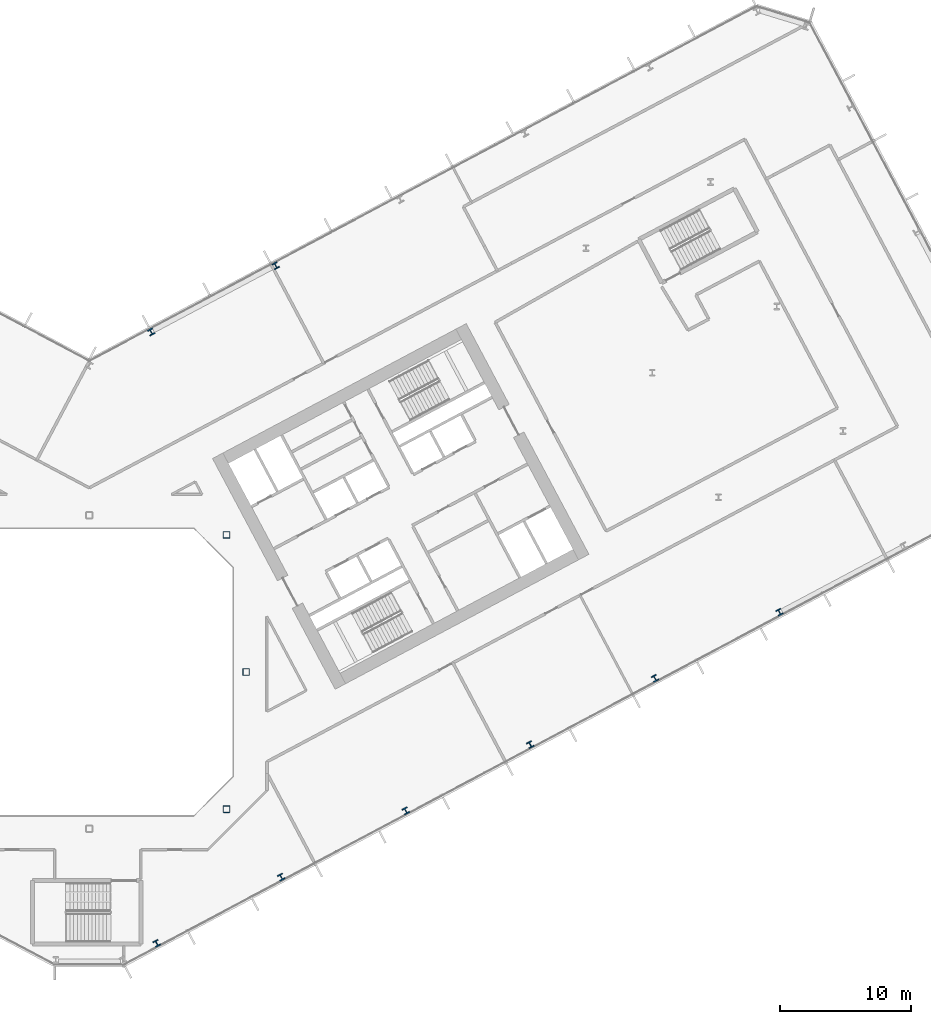
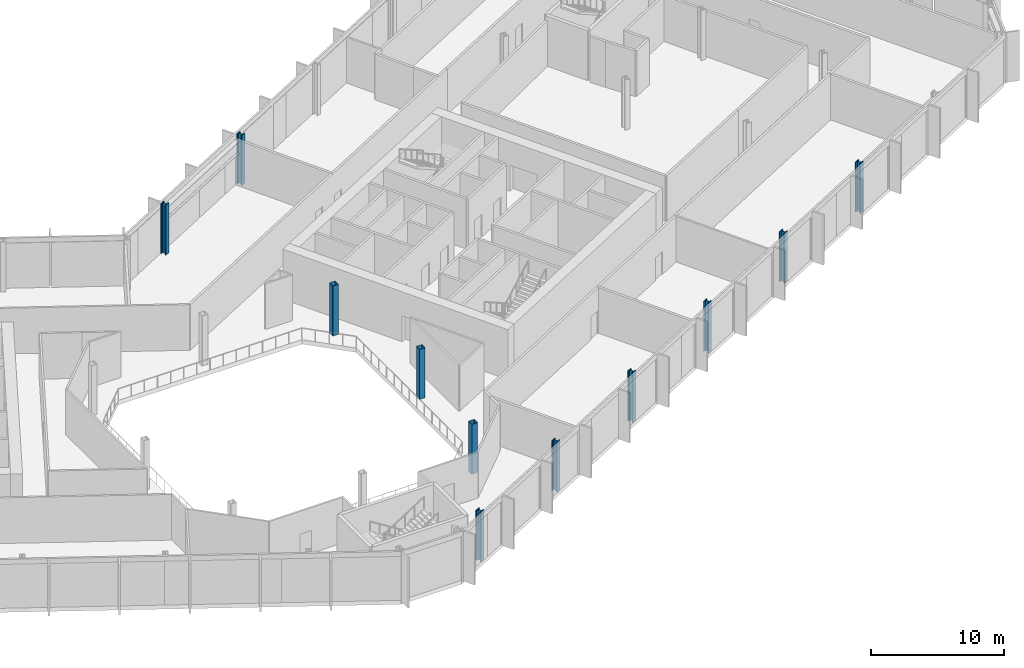
# One storey, part 3 of 30: 11 columns.
"""IFC4 building model written with IfcOpenShell, lengths in metres."""

import ifcopenshell
import ifcopenshell.guid

model = None  # the IFC model being written
_history = None  # IfcOwnerHistory: only IFC2X3 demands one
_inside = {}  # id of a spatial element -> (the spatial element, [elements in it])
_under = {}  # id of a project, library or spatial element -> (it, [spatial elements below it])
_declared = {}  # id of a project -> (the project, [libraries it declares])
_typed = {}  # id of a type object -> (the type object, [elements of that type])
_made_of = {}  # id of a material, layer set ... -> (it, [elements and type objects made of it])


def new_model(schema):
    """Start an empty IFC model of exactly this schema.

    Asked for "IFC4X3", IfcOpenShell would pick the latest addendum, in which some entities
    have other attributes; the version numbers below select the first issue.
    IFC2X3 requires an IfcOwnerHistory on every rooted entity: one is made here for all.
    """
    global model, _history
    if schema == "IFC4X3":
        model = ifcopenshell.file(schema_version=(4, 3, 0, 0))
    else:
        model = ifcopenshell.file(schema=schema)
    _inside.clear()
    _under.clear()
    _declared.clear()
    _typed.clear()
    _made_of.clear()
    _history = None
    if model.schema == "IFC2X3":
        org = make("IfcOrganization", Name="unknown")
        user = make(
            "IfcPersonAndOrganization",
            ThePerson=make("IfcPerson", FamilyName="unknown"),
            TheOrganization=org,
        )
        app = make(
            "IfcApplication",
            ApplicationDeveloper=org,
            Version="unknown",
            ApplicationFullName="unknown",
            ApplicationIdentifier="unknown",
        )
        _history = make(
            "IfcOwnerHistory",
            OwningUser=user,
            OwningApplication=app,
            ChangeAction="ADDED",
            CreationDate=0,
        )
    return model


def make(cls, **values):
    """One entity of the class cls with the attributes given. An attribute that is None is left unset."""
    return model.create_entity(
        cls, **{name: value for name, value in values.items() if value is not None}
    )


def rooted(cls, **values):
    """An entity with a GlobalId (a new one), such as an element, a storey or a relation."""
    return make(cls, GlobalId=ifcopenshell.guid.new(), OwnerHistory=_history, **values)


def si_unit(unit_type, name, prefix=None):
    """IfcSIUnit, for example si_unit("LENGTHUNIT", "METRE", prefix="MILLI")."""
    return make("IfcSIUnit", UnitType=unit_type, Prefix=prefix, Name=name)


def assignment(units):
    """IfcUnitAssignment: the units of a project."""
    return None if units is None else make("IfcUnitAssignment", Units=units)


def point(xyz):
    """IfcCartesianPoint."""
    return None if xyz is None else make("IfcCartesianPoint", Coordinates=xyz)


def direction(xyz):
    """IfcDirection."""
    return None if xyz is None else make("IfcDirection", DirectionRatios=xyz)


def frame(location, z_axis=None, x_axis=None):
    """IfcAxis2Placement3D, a coordinate frame: its origin and axes. An axis left out is left unset."""
    return make(
        "IfcAxis2Placement3D",
        Location=point(location),
        Axis=direction(z_axis),
        RefDirection=direction(x_axis),
    )


def frame_2d(location, x_axis=None):
    """IfcAxis2Placement2D, a coordinate frame in the plane: its origin and x axis."""
    return make(
        "IfcAxis2Placement2D", Location=point(location), RefDirection=direction(x_axis)
    )


def origin():
    """The frame at (0, 0, 0) with its axes left unset."""
    return frame((0.0, 0.0, 0.0))


def origin_2d():
    """The frame at (0, 0) in the plane with its x axis left unset."""
    return frame_2d((0.0, 0.0))


def place(relative_to, where):
    """IfcLocalPlacement: puts the frame where relative to a parent placement (None: the world)."""
    return make(
        "IfcLocalPlacement", PlacementRelTo=relative_to, RelativePlacement=where
    )


def context(
    kind, dimensions, precision=None, world=None, true_north=None, identifier=None
):
    """IfcGeometricRepresentationContext, for example the 3D "Model" context."""
    return make(
        "IfcGeometricRepresentationContext",
        ContextIdentifier=identifier,
        ContextType=kind,
        CoordinateSpaceDimension=dimensions,
        Precision=precision,
        WorldCoordinateSystem=world,
        TrueNorth=true_north,
    )


def subcontext(parent, identifier, kind, view, scale=None):
    """IfcGeometricRepresentationSubContext, for example "Body" below "Model"."""
    return make(
        "IfcGeometricRepresentationSubContext",
        ContextIdentifier=identifier,
        ContextType=kind,
        ParentContext=parent,
        TargetScale=scale,
        TargetView=view,
    )


def project(units=None, contexts=None):
    """IfcProject with its units and contexts."""
    return rooted(
        "IfcProject",
        Name="project",
        RepresentationContexts=contexts,
        UnitsInContext=assignment(units),
    )


def spatial(cls, under=None, at=None, **own):
    """A site, building, storey or space (cls), placed at a placement, below another one or the project."""
    s = rooted(cls, ObjectPlacement=at, **own)
    if under is not None:
        _under.setdefault(under.id(), (under, []))[1].append(s)
    return s


def profile(cls, at=None, kind="AREA", **sizes):
    """A parametric profile (cls). Its sizes go by their IFC names, for example OverallWidth=200.0."""
    return make(cls, ProfileType=kind, Position=at, **sizes)


def hollow_rectangle(**sizes):
    """IfcRectangleHollowProfileDef."""
    return profile("IfcRectangleHollowProfileDef", **sizes)


def i_section(**sizes):
    """IfcIShapeProfileDef."""
    return profile("IfcIShapeProfileDef", **sizes)


def extrude(swept, where, along, depth):
    """IfcExtrudedAreaSolid: the profile swept, set in the frame where, extruded along a direction by depth."""
    return make(
        "IfcExtrudedAreaSolid",
        SweptArea=swept,
        Position=where,
        ExtrudedDirection=direction(along),
        Depth=depth,
    )


def shape(context_of_items, identifier, shape_type, items):
    """IfcShapeRepresentation: the items that make up one representation, for example the "Body"."""
    return make(
        "IfcShapeRepresentation",
        ContextOfItems=context_of_items,
        RepresentationIdentifier=identifier,
        RepresentationType=shape_type,
        Items=items,
    )


def material(Name=None, Category=None):
    """IfcMaterial."""
    return make("IfcMaterial", Name=Name, Category=Category)


def material_profile(
    of_material, cross_section, Name=None, Category=None, Priority=None
):
    """IfcMaterialProfile: a cross section and its material."""
    return make(
        "IfcMaterialProfile",
        Name=Name,
        Material=of_material,
        Profile=cross_section,
        Priority=Priority,
        Category=Category,
    )


def profile_set(profiles, Name=None, composite=None):
    """IfcMaterialProfileSet."""
    return make(
        "IfcMaterialProfileSet",
        Name=Name,
        MaterialProfiles=profiles,
        CompositeProfile=composite,
    )


def made_of(thing, what):
    """Note that an element or type object is made of a material, layer set ...; save() writes the relation."""
    if what is not None:
        _made_of.setdefault(what.id(), (what, []))[1].append(thing)
    return thing


def type_object(cls, material=None, **own):
    """A type object (cls), such as IfcWallType, which elements share."""
    return made_of(rooted(cls, **own), material)


def element(
    cls,
    number,
    at=None,
    inside=None,
    cuts=None,
    type_object=None,
    material=None,
    context=None,
    identifier="Body",
    shape_type=None,
    held_by="IfcProductDefinitionShape",
    body=None,
    shapes=None,
    **own,
):
    """One element of the class cls, such as IfcWall. Its Tag is "e" and its number.

    at: its placement. inside: the storey or other place that contains it. cuts: it is an
    opening in that element (IfcRelVoidsElement). A single representation is given by context,
    identifier, shape_type and body (its items); several are given by shapes. held_by: the class
    of the entity that holds the representations. save() writes the other relations.
    """
    e = rooted(cls, Tag="e%d" % number, ObjectPlacement=at, **own)
    if body is not None:
        shapes = [shape(context, identifier, shape_type, body)]
    if shapes is not None:
        e.Representation = make(held_by, Representations=shapes)
    if inside is not None:
        _inside.setdefault(inside.id(), (inside, []))[1].append(e)
    if cuts is not None:
        rooted(
            "IfcRelVoidsElement", RelatingBuildingElement=cuts, RelatedOpeningElement=e
        )
    if type_object is not None:
        _typed.setdefault(type_object.id(), (type_object, []))[1].append(e)
    return made_of(e, material)


def aggregate(whole, parts):
    """IfcRelAggregates: a whole, such as a stair, and the parts it consists of."""
    return rooted("IfcRelAggregates", RelatingObject=whole, RelatedObjects=parts)


def save(model, path):
    """Write the relations noted so far, then the file.

    IfcRelAggregates (storeys below a building ...), IfcRelContainedInSpatialStructure (elements
    in a storey), IfcRelDefinesByType, IfcRelAssociatesMaterial and IfcRelDeclares: one each for
    every whole, place, type object, material and project.
    """
    for whole, parts in _under.values():
        aggregate(whole, parts)
    for where, things in _inside.values():
        rooted(
            "IfcRelContainedInSpatialStructure",
            RelatedElements=things,
            RelatingStructure=where,
        )
    for kind, things in _typed.values():
        rooted("IfcRelDefinesByType", RelatedObjects=things, RelatingType=kind)
    for what, things in _made_of.values():
        rooted("IfcRelAssociatesMaterial", RelatedObjects=things, RelatingMaterial=what)
    for by, libraries in _declared.values():
        rooted("IfcRelDeclares", RelatingContext=by, RelatedDefinitions=libraries)
    model.write(path)


model = new_model("IFC4")

# Units and contexts
model_context = context("Model", 3, precision=1e-05, world=origin(), true_north=direction((0.0, 1.0)))
body_context = subcontext(model_context, "Body", "Model", "MODEL_VIEW")
ifc_project = project(units=[si_unit("LENGTHUNIT", "METRE"), si_unit("AREAUNIT", "SQUARE_METRE"), si_unit("VOLUMEUNIT", "CUBIC_METRE"), si_unit("PLANEANGLEUNIT", "RADIAN"), si_unit("MASSUNIT", "GRAM", prefix="KILO")], contexts=[model_context])

# Site, building, storey
site_placement = place(None, origin())
site = spatial("IfcSite", under=ifc_project, at=site_placement, CompositionType="ELEMENT")
building_placement = place(site_placement, origin())
building = spatial("IfcBuilding", under=site, at=building_placement, Name="Cormorant Relay Tower", CompositionType="ELEMENT")
storey_placement = place(building_placement, frame((0.0, 0.0, 84.60009765625)))
storey = spatial("IfcBuildingStorey", under=building, at=storey_placement, Name="L16", CompositionType="ELEMENT", Elevation=84.60009765625)

# Columns
ifc_material_1 = material(Name="Steel ASTM A500 Grade C (Fy 345 MPa)", Category="steel")
ifc_material_profile_1 = material_profile(ifc_material_1, hollow_rectangle(XDim=0.508056640625, YDim=0.508056640625, WallThickness=0.020751953125, InnerFilletRadius=0.01025390625, OuterFilletRadius=0.031005859375, at=origin_2d()), Name="HSS508x508x21")
ifc_profile_set_1 = profile_set([ifc_material_profile_1], Name="Steel ASTM A500 Grade C (Fy 345 MPa)")
column_type_1 = type_object("IfcColumnType", Name="Column HSS508x508x21", PredefinedType="COLUMN", material=ifc_profile_set_1)
for number, where, z_axis, x_axis, name in (
    (1, (10.5, -10.5, 0.0), (0.0, 0.0, 1.0), (1.0, 0.0, 0.0), "Column L16-010"),
    (2, (12.0, 0.0, 0.0), (0.0, 0.0, 1.0), (1.0, 0.0, 0.0), "Column L16-016"),
    (3, (10.5, 10.5, 0.0), (0.0, 0.0, 1.0), (1.0, 0.0, 0.0), "Column L16-023"),
):
    element("IfcColumn", number, at=place(storey_placement, frame(where, z_axis=z_axis, x_axis=x_axis)), inside=storey, type_object=column_type_1, Name=name, PredefinedType="COLUMN", context=body_context, shape_type="SweptSolid", body=[
        extrude(hollow_rectangle(XDim=0.508056640625, YDim=0.508056640625, WallThickness=0.020751953125, InnerFilletRadius=0.01025390625, OuterFilletRadius=0.031005859375, at=origin_2d()), origin(), (0.0, 0.0, 1.0), 4.599853515625),
    ])
ifc_material_2 = material(Name="Steel ASTM A992 (Fy 345 MPa)", Category="steel")
ifc_material_profile_2 = material_profile(ifc_material_2, i_section(OverallWidth=0.42431640625, OverallDepth=0.47509765625, WebThickness=0.0478515625, FlangeThickness=0.0771484375, FilletRadius=0.014892578125, at=origin_2d()), Name="W360x634")
ifc_profile_set_2 = profile_set([ifc_material_profile_2], Name="Steel ASTM A992 (Fy 345 MPa)")
column_type_2 = type_object("IfcColumnType", Name="Column W360x634", PredefinedType="COLUMN", material=ifc_profile_set_2)
for number, where, z_axis, x_axis, name in (
    (4, (5.155029296875, -20.77099609375, 0.0), (0.0, 0.0, 1.0), (0.882947592859, 0.469471562786, 0.0), "Column L16-003"),
    (5, (14.69091796875, -15.700927734375, 0.0), (0.0, 0.0, 1.0), (0.882947592859, 0.469471562786, 0.0), "Column L16-005"),
    (6, (24.22705078125, -10.631103515625, 0.0), (0.0, 0.0, 1.0), (0.882947592859, 0.469471562786, 0.0), "Column L16-008"),
    (7, (33.761962890625, -5.56005859375, 0.0), (0.0, 0.0, 1.0), (0.882947592859, 0.469471562786, 0.0), "Column L16-012"),
    (8, (43.298095703125, -0.489990234375, 0.0), (0.0, 0.0, 1.0), (0.882947592859, 0.469471562786, 0.0), "Column L16-014"),
    (9, (52.833984375, 4.580078125, 0.0), (0.0, 0.0, 1.0), (0.882947592859, 0.469471562786, 0.0), "Column L16-019"),
    (10, (4.73388671875, 26.029052734375, 0.0), (0.0, 0.0, 1.0), (-0.882947592859, -0.469471562786, 0.0), "Column L16-035"),
    (11, (14.27001953125, 31.10009765625, 0.0), (0.0, 0.0, 1.0), (-0.882947592859, -0.469471562786, 0.0), "Column L16-039"),
):
    element("IfcColumn", number, at=place(storey_placement, frame(where, z_axis=z_axis, x_axis=x_axis)), inside=storey, type_object=column_type_2, Name=name, PredefinedType="COLUMN", context=body_context, shape_type="SweptSolid", body=[
        extrude(i_section(OverallWidth=0.42431640625, OverallDepth=0.47509765625, WebThickness=0.0478515625, FlangeThickness=0.0771484375, FilletRadius=0.014892578125, at=origin_2d()), origin(), (0.0, 0.0, 1.0), 4.599853515625),
    ])

save(model, "model.ifc")
